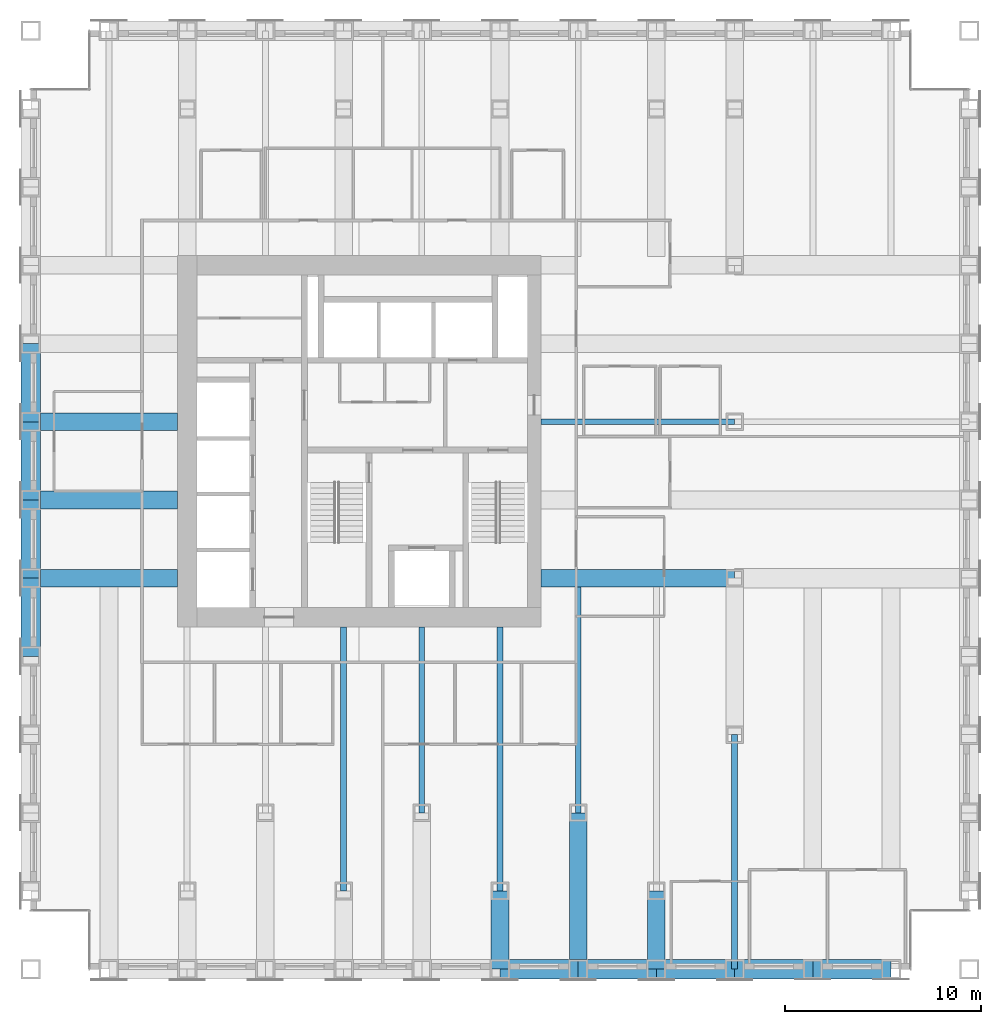
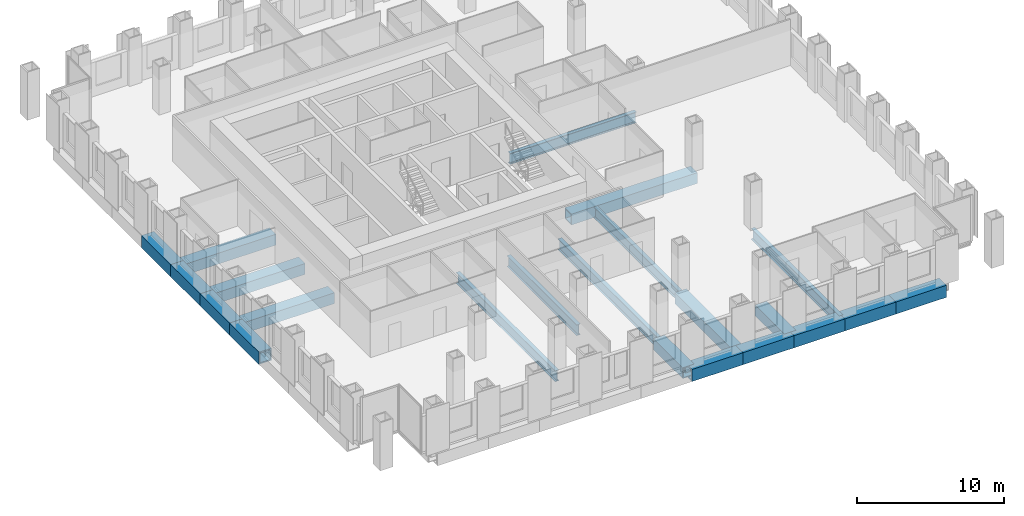
# One storey, part 3 of 16: 22 beams.
"""IFC4 building model written with IfcOpenShell, lengths in metres."""

from ifc_helpers import new_model, si_unit, direction, frame, origin, origin_2d, place, context, subcontext, project, spatial, hollow_rectangle, i_section, extrude, material, material_profile, profile_set, type_object, element, save


model = new_model("IFC4")

# Units and contexts
model_context = context("Model", 3, precision=1e-05, world=origin(), true_north=direction((0.0, 1.0)))
body_context = subcontext(model_context, "Body", "Model", "MODEL_VIEW")
ifc_project = project(units=[si_unit("LENGTHUNIT", "METRE"), si_unit("AREAUNIT", "SQUARE_METRE"), si_unit("VOLUMEUNIT", "CUBIC_METRE"), si_unit("PLANEANGLEUNIT", "RADIAN"), si_unit("MASSUNIT", "GRAM", prefix="KILO")], contexts=[model_context])

# Site, building, storey
site_placement = place(None, origin())
site = spatial("IfcSite", under=ifc_project, at=site_placement, CompositionType="ELEMENT")
building_placement = place(site_placement, origin())
building = spatial("IfcBuilding", under=site, at=building_placement, Name="Rimbunsela Tower", CompositionType="ELEMENT")
storey_placement = place(building_placement, frame((0.0, 0.0, 97.39990234375)))
storey = spatial("IfcBuildingStorey", under=building, at=storey_placement, Name="L23", CompositionType="ELEMENT", Elevation=97.39990234375)

# Beams
ifc_material_1 = material(Name="Steel BJ 55 (fy 410 MPa)", Category="steel")
ifc_material_profile_1 = material_profile(ifc_material_1, hollow_rectangle(XDim=1.0, YDim=1.0, WallThickness=0.10009765625, at=origin_2d()), Name="BOX 1000x1000x100")
ifc_profile_set_1 = profile_set([ifc_material_profile_1], Name="Steel BJ 55 (fy 410 MPa)")
beam_type_1 = type_object("IfcBeamType", Name="Beam BOX 1000x1000x100", PredefinedType="BEAM", material=ifc_profile_set_1)
for number, where, z_axis, x_axis, name in (
    (1, (10.0, 16.0, -0.64990234375), (0.0, 1.0, 0.0), (-1.0, 0.0, 0.0), "Beam B3 L23"),
    (2, (10.0, 20.0, -0.64990234375), (0.0, 1.0, 0.0), (-1.0, 0.0, 0.0), "Beam B3 L23"),
    (3, (10.0, 24.0, -0.64990234375), (0.0, 1.0, 0.0), (-1.0, 0.0, 0.0), "Beam B3 L23"),
    (4, (10.0, 28.0, -0.64990234375), (0.0, 1.0, 0.0), (-1.0, 0.0, 0.0), "Beam B3 L23"),
    (5, (34.0, 0.0, -0.64990234375), (1.0, 0.0, 0.0), (0.0, 1.0, 0.0), "Beam B3 L23"),
    (6, (38.0, 0.0, -0.64990234375), (1.0, 0.0, 0.0), (0.0, 1.0, 0.0), "Beam B3 L23"),
    (7, (42.0, 0.0, -0.64990234375), (1.0, 0.0, 0.0), (0.0, 1.0, 0.0), "Beam B3 L23"),
    (8, (46.0, 0.0, -0.64990234375), (1.0, 0.0, 0.0), (0.0, 1.0, 0.0), "Beam B3 L23"),
    (9, (50.0, 0.0, -0.64990234375), (1.0, 0.0, 0.0), (0.0, 1.0, 0.0), "Beam B3 L23"),
):
    element("IfcBeam", number, at=place(storey_placement, frame(where, z_axis=z_axis, x_axis=x_axis)), inside=storey, type_object=beam_type_1, Name=name, PredefinedType="BEAM", context=body_context, shape_type="SweptSolid", body=[
        extrude(hollow_rectangle(XDim=1.0, YDim=1.0, WallThickness=0.10009765625, at=origin_2d()), origin(), (0.0, 0.0, 1.0), 4.0),
    ])
ifc_material_2 = material(Name="Steel BJ 55 (fy 410 MPa)", Category="steel")
ifc_material_profile_2 = material_profile(ifc_material_2, hollow_rectangle(XDim=0.89990234375, YDim=0.89990234375, WallThickness=0.06005859375, at=origin_2d()), Name="BOX 900x900x60")
ifc_profile_set_2 = profile_set([ifc_material_profile_2], Name="Steel BJ 55 (fy 410 MPa)")
beam_type_2 = type_object("IfcBeamType", Name="Beam BOX 900x900x60", PredefinedType="BEAM", material=ifc_profile_set_2)
for number, where, z_axis, x_axis, name in (
    (10, (10.0, 20.0, -0.599853515625), (1.0, 0.0, 0.0), (0.0, 1.0, 0.0), "Beam B1 L23"),
    (11, (10.0, 24.0, -0.599853515625), (1.0, 0.0, 0.0), (0.0, 1.0, 0.0), "Beam B1 L23"),
    (12, (10.0, 28.0, -0.599853515625), (1.0, 0.0, 0.0), (0.0, 1.0, 0.0), "Beam B1 L23"),
):
    element("IfcBeam", number, at=place(storey_placement, frame(where, z_axis=z_axis, x_axis=x_axis)), inside=storey, type_object=beam_type_2, Name=name, PredefinedType="BEAM", context=body_context, shape_type="SweptSolid", body=[
        extrude(hollow_rectangle(XDim=0.89990234375, YDim=0.89990234375, WallThickness=0.06005859375, at=origin_2d()), origin(), (0.0, 0.0, 1.0), 7.5),
    ])
beam_1_placement = place(storey_placement, frame((34.0, 0.0, -0.599853515625), z_axis=(0.0, 1.0, 0.0), x_axis=(-1.0, 0.0, 0.0)))
element("IfcBeam", 13, at=beam_1_placement, inside=storey, type_object=beam_type_2, Name="Beam B1 L23", PredefinedType="BEAM", context=body_context, shape_type="SweptSolid", body=[
    extrude(hollow_rectangle(XDim=0.89990234375, YDim=0.89990234375, WallThickness=0.06005859375, at=origin_2d()), origin(), (0.0, 0.0, 1.0), 4.0),
])
beam_2_placement = place(storey_placement, frame((36.10009765625, 20.0, -0.599853515625), z_axis=(1.0, 0.0, 0.0), x_axis=(0.0, 1.0, 0.0)))
element("IfcBeam", 14, at=beam_2_placement, inside=storey, type_object=beam_type_2, Name="Beam B1 L23", PredefinedType="BEAM", context=body_context, shape_type="SweptSolid", body=[
    extrude(hollow_rectangle(XDim=0.89990234375, YDim=0.89990234375, WallThickness=0.06005859375, at=origin_2d()), origin(), (0.0, 0.0, 1.0), 9.89990234375),
])
beam_3_placement = place(storey_placement, frame((38.0, 0.0, -0.599853515625), z_axis=(0.0, 1.0, 0.0), x_axis=(-1.0, 0.0, 0.0)))
element("IfcBeam", 15, at=beam_3_placement, inside=storey, type_object=beam_type_2, Name="Beam B1 L23", PredefinedType="BEAM", context=body_context, shape_type="SweptSolid", body=[
    extrude(hollow_rectangle(XDim=0.89990234375, YDim=0.89990234375, WallThickness=0.06005859375, at=origin_2d()), origin(), (0.0, 0.0, 1.0), 8.0),
])
beam_4_placement = place(storey_placement, frame((42.0, 0.0, -0.599853515625), z_axis=(0.0, 1.0, 0.0), x_axis=(-1.0, 0.0, 0.0)))
element("IfcBeam", 16, at=beam_4_placement, inside=storey, type_object=beam_type_2, Name="Beam B1 L23", PredefinedType="BEAM", context=body_context, shape_type="SweptSolid", body=[
    extrude(hollow_rectangle(XDim=0.89990234375, YDim=0.89990234375, WallThickness=0.06005859375, at=origin_2d()), origin(), (0.0, 0.0, 1.0), 4.0),
])
ifc_material_3 = material(Name="Steel BJ 55 (fy 410 MPa)", Category="steel")
ifc_material_profile_3 = material_profile(ifc_material_3, i_section(OverallWidth=0.300048828125, OverallDepth=0.89990234375, WebThickness=0.01611328125, FlangeThickness=0.028076171875, FilletRadius=0.028076171875, at=origin_2d()), Name="H 900x300x16x28")
ifc_profile_set_3 = profile_set([ifc_material_profile_3], Name="Steel BJ 55 (fy 410 MPa)")
beam_type_3 = type_object("IfcBeamType", Name="Beam H 900x300x16x28", PredefinedType="BEAM", material=ifc_profile_set_3)
beam_5_placement = place(storey_placement, frame((26.0, 4.0, -0.599853515625), z_axis=(0.0, 1.0, 0.0), x_axis=(-1.0, 0.0, 0.0)))
element("IfcBeam", 17, at=beam_5_placement, inside=storey, type_object=beam_type_3, Name="Beam B2 L23", PredefinedType="BEAM", context=body_context, shape_type="SweptSolid", body=[
    extrude(i_section(OverallWidth=0.300048828125, OverallDepth=0.89990234375, WebThickness=0.01611328125, FlangeThickness=0.028076171875, FilletRadius=0.028076171875, at=origin_2d()), origin(), (0.0, 0.0, 1.0), 13.5),
])
beam_6_placement = place(storey_placement, frame((30.0, 8.0, -0.599853515625), z_axis=(0.0, 1.0, 0.0), x_axis=(-1.0, 0.0, 0.0)))
element("IfcBeam", 18, at=beam_6_placement, inside=storey, type_object=beam_type_3, Name="Beam B2 L23", PredefinedType="BEAM", context=body_context, shape_type="SweptSolid", body=[
    extrude(i_section(OverallWidth=0.300048828125, OverallDepth=0.89990234375, WebThickness=0.01611328125, FlangeThickness=0.028076171875, FilletRadius=0.028076171875, at=origin_2d()), origin(), (0.0, 0.0, 1.0), 9.5),
])
beam_7_placement = place(storey_placement, frame((34.0, 4.0, -0.599853515625), z_axis=(0.0, 1.0, 0.0), x_axis=(-1.0, 0.0, 0.0)))
element("IfcBeam", 19, at=beam_7_placement, inside=storey, type_object=beam_type_3, Name="Beam B2 L23", PredefinedType="BEAM", context=body_context, shape_type="SweptSolid", body=[
    extrude(i_section(OverallWidth=0.300048828125, OverallDepth=0.89990234375, WebThickness=0.01611328125, FlangeThickness=0.028076171875, FilletRadius=0.028076171875, at=origin_2d()), origin(), (0.0, 0.0, 1.0), 13.5),
])
beam_8_placement = place(storey_placement, frame((36.10009765625, 28.0, -0.599853515625), z_axis=(1.0, 0.0, 0.0), x_axis=(0.0, 1.0, 0.0)))
element("IfcBeam", 20, at=beam_8_placement, inside=storey, type_object=beam_type_3, Name="Beam B2 L23", PredefinedType="BEAM", context=body_context, shape_type="SweptSolid", body=[
    extrude(i_section(OverallWidth=0.300048828125, OverallDepth=0.89990234375, WebThickness=0.01611328125, FlangeThickness=0.028076171875, FilletRadius=0.028076171875, at=origin_2d()), origin(), (0.0, 0.0, 1.0), 9.89990234375),
])
beam_9_placement = place(storey_placement, frame((38.0, 8.0, -0.599853515625), z_axis=(0.0, 1.0, 0.0), x_axis=(-1.0, 0.0, 0.0)))
element("IfcBeam", 21, at=beam_9_placement, inside=storey, type_object=beam_type_3, Name="Beam B2 L23", PredefinedType="BEAM", context=body_context, shape_type="SweptSolid", body=[
    extrude(i_section(OverallWidth=0.300048828125, OverallDepth=0.89990234375, WebThickness=0.01611328125, FlangeThickness=0.028076171875, FilletRadius=0.028076171875, at=origin_2d()), origin(), (0.0, 0.0, 1.0), 11.550048828125),
])
beam_10_placement = place(storey_placement, frame((46.0, 0.0, -0.599853515625), z_axis=(0.0, 1.0, 0.0), x_axis=(-1.0, 0.0, 0.0)))
element("IfcBeam", 22, at=beam_10_placement, inside=storey, type_object=beam_type_3, Name="Beam B2 L23", PredefinedType="BEAM", context=body_context, shape_type="SweptSolid", body=[
    extrude(i_section(OverallWidth=0.300048828125, OverallDepth=0.89990234375, WebThickness=0.01611328125, FlangeThickness=0.028076171875, FilletRadius=0.028076171875, at=origin_2d()), origin(), (0.0, 0.0, 1.0), 12.0),
])

save(model, "model.ifc")
